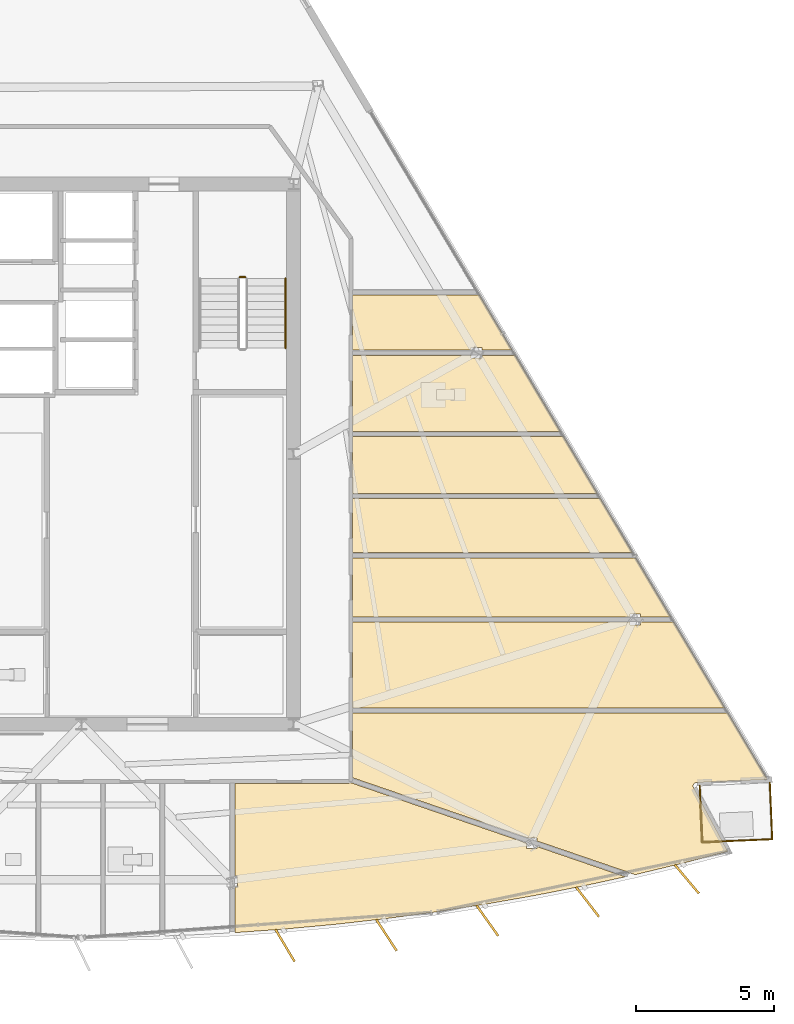
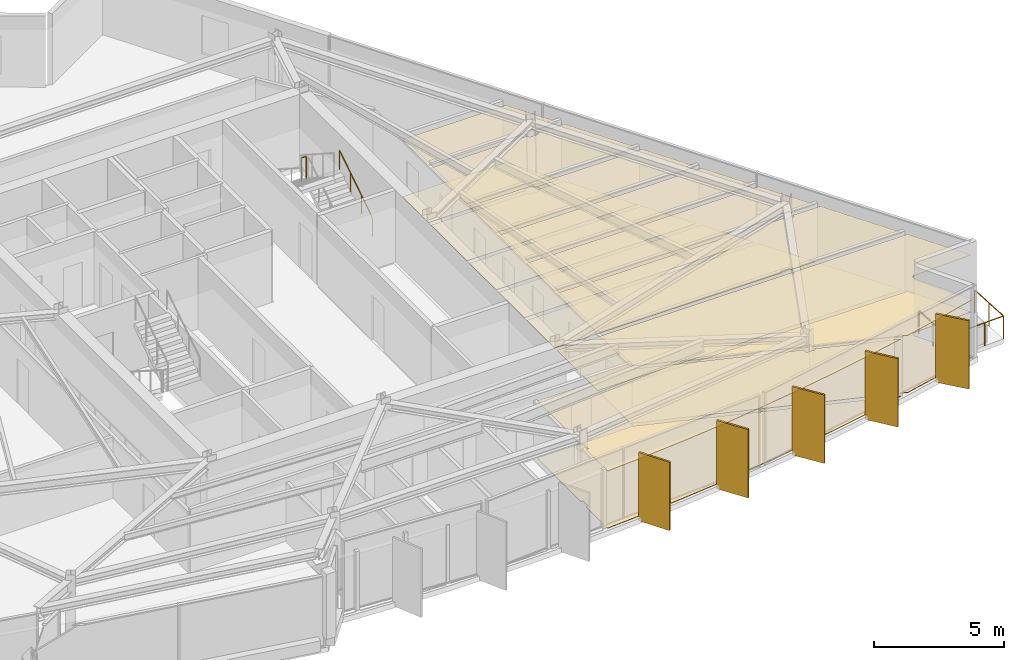
# One storey, part 13 of 14: 16 coverings, 5 railings, 5 shading devices.
"""IFC4 building model written with IfcOpenShell, lengths in metres."""

import ifcopenshell
import ifcopenshell.guid

model = None  # the IFC model being written
_history = None  # IfcOwnerHistory: only IFC2X3 demands one
_inside = {}  # id of a spatial element -> (the spatial element, [elements in it])
_under = {}  # id of a project, library or spatial element -> (it, [spatial elements below it])
_declared = {}  # id of a project -> (the project, [libraries it declares])
_typed = {}  # id of a type object -> (the type object, [elements of that type])
_made_of = {}  # id of a material, layer set ... -> (it, [elements and type objects made of it])


def new_model(schema):
    """Start an empty IFC model of exactly this schema.

    Asked for "IFC4X3", IfcOpenShell would pick the latest addendum, in which some entities
    have other attributes; the version numbers below select the first issue.
    IFC2X3 requires an IfcOwnerHistory on every rooted entity: one is made here for all.
    """
    global model, _history
    if schema == "IFC4X3":
        model = ifcopenshell.file(schema_version=(4, 3, 0, 0))
    else:
        model = ifcopenshell.file(schema=schema)
    _inside.clear()
    _under.clear()
    _declared.clear()
    _typed.clear()
    _made_of.clear()
    _history = None
    if model.schema == "IFC2X3":
        org = make("IfcOrganization", Name="unknown")
        user = make(
            "IfcPersonAndOrganization",
            ThePerson=make("IfcPerson", FamilyName="unknown"),
            TheOrganization=org,
        )
        app = make(
            "IfcApplication",
            ApplicationDeveloper=org,
            Version="unknown",
            ApplicationFullName="unknown",
            ApplicationIdentifier="unknown",
        )
        _history = make(
            "IfcOwnerHistory",
            OwningUser=user,
            OwningApplication=app,
            ChangeAction="ADDED",
            CreationDate=0,
        )
    return model


def make(cls, **values):
    """One entity of the class cls with the attributes given. An attribute that is None is left unset."""
    return model.create_entity(
        cls, **{name: value for name, value in values.items() if value is not None}
    )


def rooted(cls, **values):
    """An entity with a GlobalId (a new one), such as an element, a storey or a relation."""
    return make(cls, GlobalId=ifcopenshell.guid.new(), OwnerHistory=_history, **values)


def si_unit(unit_type, name, prefix=None):
    """IfcSIUnit, for example si_unit("LENGTHUNIT", "METRE", prefix="MILLI")."""
    return make("IfcSIUnit", UnitType=unit_type, Prefix=prefix, Name=name)


def assignment(units):
    """IfcUnitAssignment: the units of a project."""
    return None if units is None else make("IfcUnitAssignment", Units=units)


def point(xyz):
    """IfcCartesianPoint."""
    return None if xyz is None else make("IfcCartesianPoint", Coordinates=xyz)


def direction(xyz):
    """IfcDirection."""
    return None if xyz is None else make("IfcDirection", DirectionRatios=xyz)


def frame(location, z_axis=None, x_axis=None):
    """IfcAxis2Placement3D, a coordinate frame: its origin and axes. An axis left out is left unset."""
    return make(
        "IfcAxis2Placement3D",
        Location=point(location),
        Axis=direction(z_axis),
        RefDirection=direction(x_axis),
    )


def frame_2d(location, x_axis=None):
    """IfcAxis2Placement2D, a coordinate frame in the plane: its origin and x axis."""
    return make(
        "IfcAxis2Placement2D", Location=point(location), RefDirection=direction(x_axis)
    )


def origin():
    """The frame at (0, 0, 0) with its axes left unset."""
    return frame((0.0, 0.0, 0.0))


def origin_2d():
    """The frame at (0, 0) in the plane with its x axis left unset."""
    return frame_2d((0.0, 0.0))


def place(relative_to, where):
    """IfcLocalPlacement: puts the frame where relative to a parent placement (None: the world)."""
    return make(
        "IfcLocalPlacement", PlacementRelTo=relative_to, RelativePlacement=where
    )


def context(
    kind, dimensions, precision=None, world=None, true_north=None, identifier=None
):
    """IfcGeometricRepresentationContext, for example the 3D "Model" context."""
    return make(
        "IfcGeometricRepresentationContext",
        ContextIdentifier=identifier,
        ContextType=kind,
        CoordinateSpaceDimension=dimensions,
        Precision=precision,
        WorldCoordinateSystem=world,
        TrueNorth=true_north,
    )


def subcontext(parent, identifier, kind, view, scale=None):
    """IfcGeometricRepresentationSubContext, for example "Body" below "Model"."""
    return make(
        "IfcGeometricRepresentationSubContext",
        ContextIdentifier=identifier,
        ContextType=kind,
        ParentContext=parent,
        TargetScale=scale,
        TargetView=view,
    )


def project(units=None, contexts=None):
    """IfcProject with its units and contexts."""
    return rooted(
        "IfcProject",
        Name="project",
        RepresentationContexts=contexts,
        UnitsInContext=assignment(units),
    )


def spatial(cls, under=None, at=None, **own):
    """A site, building, storey or space (cls), placed at a placement, below another one or the project."""
    s = rooted(cls, ObjectPlacement=at, **own)
    if under is not None:
        _under.setdefault(under.id(), (under, []))[1].append(s)
    return s


def polyline(points):
    """IfcPolyline through the points."""
    return make("IfcPolyline", Points=[point(p) for p in points])


def profile(cls, at=None, kind="AREA", **sizes):
    """A parametric profile (cls). Its sizes go by their IFC names, for example OverallWidth=200.0."""
    return make(cls, ProfileType=kind, Position=at, **sizes)


def rectangle(**sizes):
    """IfcRectangleProfileDef."""
    return profile("IfcRectangleProfileDef", **sizes)


def circle(**sizes):
    """IfcCircleProfileDef."""
    return profile("IfcCircleProfileDef", **sizes)


def outline(outer, holes=None, kind="AREA"):
    """IfcArbitraryClosedProfileDef: a profile drawn as a closed curve; with holes, ...WithVoids."""
    if holes is None:
        return make("IfcArbitraryClosedProfileDef", ProfileType=kind, OuterCurve=outer)
    return make(
        "IfcArbitraryProfileDefWithVoids",
        ProfileType=kind,
        OuterCurve=outer,
        InnerCurves=holes,
    )


def extrude(swept, where, along, depth):
    """IfcExtrudedAreaSolid: the profile swept, set in the frame where, extruded along a direction by depth."""
    return make(
        "IfcExtrudedAreaSolid",
        SweptArea=swept,
        Position=where,
        ExtrudedDirection=direction(along),
        Depth=depth,
    )


def shape(context_of_items, identifier, shape_type, items):
    """IfcShapeRepresentation: the items that make up one representation, for example the "Body"."""
    return make(
        "IfcShapeRepresentation",
        ContextOfItems=context_of_items,
        RepresentationIdentifier=identifier,
        RepresentationType=shape_type,
        Items=items,
    )


def material(Name=None, Category=None):
    """IfcMaterial."""
    return make("IfcMaterial", Name=Name, Category=Category)


def layer(
    of_material, thickness, ventilated=None, Name=None, Category=None, Priority=None
):
    """IfcMaterialLayer: one layer of a wall or slab, of a material (None: an air gap)."""
    return make(
        "IfcMaterialLayer",
        Material=of_material,
        LayerThickness=thickness,
        IsVentilated=ventilated,
        Name=Name,
        Category=Category,
        Priority=Priority,
    )


def layer_set(layers, Name=None):
    """IfcMaterialLayerSet."""
    return make("IfcMaterialLayerSet", MaterialLayers=layers, LayerSetName=Name)


def made_of(thing, what):
    """Note that an element or type object is made of a material, layer set ...; save() writes the relation."""
    if what is not None:
        _made_of.setdefault(what.id(), (what, []))[1].append(thing)
    return thing


def type_object(cls, material=None, **own):
    """A type object (cls), such as IfcWallType, which elements share."""
    return made_of(rooted(cls, **own), material)


def element(
    cls,
    number,
    at=None,
    inside=None,
    cuts=None,
    type_object=None,
    material=None,
    context=None,
    identifier="Body",
    shape_type=None,
    held_by="IfcProductDefinitionShape",
    body=None,
    shapes=None,
    **own,
):
    """One element of the class cls, such as IfcWall. Its Tag is "e" and its number.

    at: its placement. inside: the storey or other place that contains it. cuts: it is an
    opening in that element (IfcRelVoidsElement). A single representation is given by context,
    identifier, shape_type and body (its items); several are given by shapes. held_by: the class
    of the entity that holds the representations. save() writes the other relations.
    """
    e = rooted(cls, Tag="e%d" % number, ObjectPlacement=at, **own)
    if body is not None:
        shapes = [shape(context, identifier, shape_type, body)]
    if shapes is not None:
        e.Representation = make(held_by, Representations=shapes)
    if inside is not None:
        _inside.setdefault(inside.id(), (inside, []))[1].append(e)
    if cuts is not None:
        rooted(
            "IfcRelVoidsElement", RelatingBuildingElement=cuts, RelatedOpeningElement=e
        )
    if type_object is not None:
        _typed.setdefault(type_object.id(), (type_object, []))[1].append(e)
    return made_of(e, material)


def aggregate(whole, parts):
    """IfcRelAggregates: a whole, such as a stair, and the parts it consists of."""
    return rooted("IfcRelAggregates", RelatingObject=whole, RelatedObjects=parts)


def save(model, path):
    """Write the relations noted so far, then the file.

    IfcRelAggregates (storeys below a building ...), IfcRelContainedInSpatialStructure (elements
    in a storey), IfcRelDefinesByType, IfcRelAssociatesMaterial and IfcRelDeclares: one each for
    every whole, place, type object, material and project.
    """
    for whole, parts in _under.values():
        aggregate(whole, parts)
    for where, things in _inside.values():
        rooted(
            "IfcRelContainedInSpatialStructure",
            RelatedElements=things,
            RelatingStructure=where,
        )
    for kind, things in _typed.values():
        rooted("IfcRelDefinesByType", RelatedObjects=things, RelatingType=kind)
    for what, things in _made_of.values():
        rooted("IfcRelAssociatesMaterial", RelatedObjects=things, RelatingMaterial=what)
    for by, libraries in _declared.values():
        rooted("IfcRelDeclares", RelatingContext=by, RelatedDefinitions=libraries)
    model.write(path)


model = new_model("IFC4")

# Units and contexts
model_context = context("Model", 3, precision=1e-05, world=origin(), true_north=direction((0.0, 1.0)))
body_context = subcontext(model_context, "Body", "Model", "MODEL_VIEW")
ifc_project = project(units=[si_unit("LENGTHUNIT", "METRE"), si_unit("AREAUNIT", "SQUARE_METRE"), si_unit("VOLUMEUNIT", "CUBIC_METRE"), si_unit("PLANEANGLEUNIT", "RADIAN"), si_unit("MASSUNIT", "GRAM", prefix="KILO")], contexts=[model_context])

# Site, building, storey
site_placement = place(None, origin())
site = spatial("IfcSite", under=ifc_project, at=site_placement, CompositionType="ELEMENT")
building_placement = place(site_placement, origin())
building = spatial("IfcBuilding", under=site, at=building_placement, Name="Savorim Split Tower", CompositionType="ELEMENT")
storey_placement = place(building_placement, frame((0.0, 0.0, 227.10009765625)))
storey = spatial("IfcBuildingStorey", under=building, at=storey_placement, Name="L60", CompositionType="ELEMENT", Elevation=227.10009765625)

# Coverings
ifc_material_1 = material(Name="Mineral Fibre Acoustic Ceiling")
ifc_layer_1 = layer(ifc_material_1, 0.02490234375)
ifc_layer_set_1 = layer_set([ifc_layer_1], Name="COV-CEIL-25")
covering_type_1 = type_object("IfcCoveringType", Name="COV-CEIL-25", PredefinedType="CEILING", material=ifc_layer_set_1)
covering_1_placement = place(storey_placement, frame((0.0, 0.0, 2.669921875)))
element("IfcCovering", 1, at=covering_1_placement, inside=storey, type_object=covering_type_1, Name="L60 Co-Working Commons Acoustic Ceiling", PredefinedType="CEILING", context=body_context, shape_type="SweptSolid", body=[
    extrude(outline(polyline([(14.62841796875, -15.9326171875), (16.4375, -15.61474609375), (18.23974609375, -15.260009765625), (19.73291015625, -14.93408203125), (16.533935546875, -13.837646484375), (16.533935546875, -13.909912109375), (16.139892578125, -13.909912109375), (16.139892578125, -13.702392578125), (9.772216796875, -11.519775390625), (9.76611328125, -11.5234375), (9.753662109375, -11.529296875), (9.740478515625, -11.533935546875), (9.727294921875, -11.537353515625), (9.713623046875, -11.539306640625), (9.699951171875, -11.5400390625), (5.5703125, -11.5400390625), (5.5703125, -14.912353515625), (5.67236328125, -14.912353515625), (5.67236328125, -15.304443359375), (5.5703125, -15.304443359375), (5.5703125, -16.915283203125), (5.5703125, -16.959228515625), (7.3388671875, -16.832275390625), (9.167724609375, -16.663330078125), (10.992919921875, -16.45703125), (12.8134765625, -16.21337890625), (14.62841796875, -15.9326171875)])), origin(), (0.0, 0.0, 1.0), 0.02490234375),
])
covering_2_placement = place(storey_placement, frame((0.0, 0.0, 2.669921875)))
element("IfcCovering", 2, at=covering_2_placement, inside=storey, type_object=covering_type_1, Name="L60 Maker Workshop Acoustic Ceiling", PredefinedType="CEILING", context=body_context, shape_type="SweptSolid", body=[
    extrude(outline(polyline([(22.282958984375, -11.518310546875), (22.294189453125, -11.516357421875), (22.305908203125, -11.51513671875), (24.887451171875, -11.405517578125), (23.455322265625, -8.9970703125), (9.840087890625, -8.9970703125), (9.840087890625, -11.34228515625), (16.187255859375, -13.517822265625), (16.533935546875, -13.517822265625), (16.533935546875, -13.63671875), (20.089111328125, -14.855224609375), (21.8203125, -14.440185546875), (23.450927734375, -14.013671875), (22.205078125, -11.69189453125), (22.2001953125, -11.681396484375), (22.1962890625, -11.670654296875), (22.193359375, -11.659423828125), (22.191650390625, -11.64794921875), (22.19091796875, -11.636474609375), (22.19140625, -11.625), (22.19287109375, -11.613525390625), (22.195556640625, -11.602294921875), (22.19921875, -11.59130859375), (22.203857421875, -11.580810546875), (22.209716796875, -11.57080078125), (22.21630859375, -11.561279296875), (22.223876953125, -11.552490234375), (22.232177734375, -11.544677734375), (22.2412109375, -11.537353515625), (22.2509765625, -11.53125), (22.26123046875, -11.52587890625), (22.27197265625, -11.521484375), (22.282958984375, -11.518310546875)])), origin(), (0.0, 0.0, 1.0), 0.02490234375),
])
covering_3_placement = place(storey_placement, frame((0.0, 0.0, 2.669921875)))
element("IfcCovering", 3, at=covering_3_placement, inside=storey, type_object=covering_type_1, Name="L60 Co-Living Bedroom Acoustic Ceiling", PredefinedType="CEILING", context=body_context, shape_type="SweptSolid", body=[
    extrude(outline(polyline([(19.893798828125, -5.798583984375), (19.893798828125, -5.697509765625), (9.840087890625, -5.697509765625), (9.840087890625, -8.806884765625), (23.34228515625, -8.806884765625), (21.4736328125, -5.66455078125), (21.4736328125, -5.697509765625), (20.28759765625, -5.697509765625), (20.28759765625, -5.798583984375), (19.893798828125, -5.798583984375)])), origin(), (0.0, 0.0, 1.0), 0.02490234375),
])
covering_4_placement = place(storey_placement, frame((0.0, 0.0, 2.669921875)))
element("IfcCovering", 4, at=covering_4_placement, inside=storey, type_object=covering_type_1, Name="L60 Quiet Study Room Acoustic Ceiling", PredefinedType="CEILING", context=body_context, shape_type="SweptSolid", body=[
    extrude(outline(polyline([(20.28759765625, -5.406494140625), (20.28759765625, -5.507568359375), (21.378662109375, -5.507568359375), (21.38037109375, -5.507568359375), (20.107666015625, -3.3671875), (9.840087890625, -3.3671875), (9.840087890625, -5.507568359375), (19.893798828125, -5.507568359375), (19.893798828125, -5.406494140625), (20.28759765625, -5.406494140625)])), origin(), (0.0, 0.0, 1.0), 0.02490234375),
])
covering_5_placement = place(storey_placement, frame((0.0, 0.0, 2.669921875)))
element("IfcCovering", 5, at=covering_5_placement, inside=storey, type_object=covering_type_1, Name="L60 Quiet Study Room Acoustic Ceiling", PredefinedType="CEILING", context=body_context, shape_type="SweptSolid", body=[
    extrude(outline(polyline([(19.99462890625, -3.17724609375), (18.826416015625, -1.21240234375), (9.840087890625, -1.21240234375), (9.840087890625, -3.177001953125), (19.99462890625, -3.17724609375)])), origin(), (0.0, 0.0, 1.0), 0.02490234375),
])
covering_6_placement = place(storey_placement, frame((0.0, 0.0, 2.669921875)))
element("IfcCovering", 6, at=covering_6_placement, inside=storey, type_object=covering_type_1, Name="L60 Co-Living Bedroom Acoustic Ceiling", PredefinedType="CEILING", context=body_context, shape_type="SweptSolid", body=[
    extrude(outline(polyline([(18.71337890625, -1.022216796875), (17.492919921875, 1.0302734375), (9.840087890625, 1.0302734375), (9.840087890625, -1.022216796875), (18.71337890625, -1.022216796875)])), origin(), (0.0, 0.0, 1.0), 0.02490234375),
])
covering_7_placement = place(storey_placement, frame((0.0, 0.0, 2.669921875)))
element("IfcCovering", 7, at=covering_7_placement, inside=storey, type_object=covering_type_1, Name="L60 Shared Bathroom Acoustic Ceiling", PredefinedType="CEILING", context=body_context, shape_type="SweptSolid", body=[
    extrude(outline(polyline([(14.1396484375, 3.87841796875), (14.1396484375, 3.9794921875), (9.840087890625, 3.9794921875), (9.840087890625, 1.22021484375), (17.3798828125, 1.22021484375), (15.719482421875, 4.012451171875), (15.719482421875, 3.9794921875), (14.53369140625, 3.9794921875), (14.53369140625, 3.87841796875), (14.1396484375, 3.87841796875)])), origin(), (0.0, 0.0, 1.0), 0.02490234375),
])
covering_8_placement = place(storey_placement, frame((0.0, 0.0, 2.669921875)))
element("IfcCovering", 8, at=covering_8_placement, inside=storey, type_object=covering_type_1, Name="L60 Quiet Study Room Acoustic Ceiling", PredefinedType="CEILING", context=body_context, shape_type="SweptSolid", body=[
    extrude(outline(polyline([(14.53369140625, 4.16943359375), (15.62451171875, 4.16943359375), (15.626220703125, 4.16943359375), (14.43212890625, 6.177490234375), (9.840087890625, 6.177490234375), (9.840087890625, 4.16943359375), (14.1396484375, 4.16943359375), (14.1396484375, 4.2705078125), (14.53369140625, 4.2705078125), (14.53369140625, 4.16943359375)])), origin(), (0.0, 0.0, 1.0), 0.02490234375),
])
ifc_material_2 = material(Name="Porcelain Stoneware Flooring", Category="masonry")
ifc_layer_2 = layer(ifc_material_2, 0.02001953125)
ifc_layer_set_2 = layer_set([ifc_layer_2], Name="COV-FLOR-20")
covering_type_2 = type_object("IfcCoveringType", Name="COV-FLOR-20", PredefinedType="FLOORING", material=ifc_layer_set_2)
covering_9_placement = place(storey_placement, origin())
element("IfcCovering", 9, at=covering_9_placement, inside=storey, type_object=covering_type_2, Name="L60 Co-Working Commons Porcelain Flooring", PredefinedType="FLOORING", context=body_context, shape_type="SweptSolid", body=[
    extrude(outline(polyline([(14.62841796875, -15.9326171875), (16.4375, -15.61474609375), (18.23974609375, -15.260009765625), (19.73291015625, -14.93408203125), (16.533935546875, -13.837646484375), (16.533935546875, -13.909912109375), (16.139892578125, -13.909912109375), (16.139892578125, -13.702392578125), (9.772216796875, -11.519775390625), (9.76611328125, -11.5234375), (9.753662109375, -11.529296875), (9.740478515625, -11.533935546875), (9.727294921875, -11.537353515625), (9.713623046875, -11.539306640625), (9.699951171875, -11.5400390625), (5.5703125, -11.5400390625), (5.5703125, -14.912353515625), (5.67236328125, -14.912353515625), (5.67236328125, -15.304443359375), (5.5703125, -15.304443359375), (5.5703125, -16.915283203125), (5.5703125, -16.959228515625), (7.3388671875, -16.832275390625), (9.167724609375, -16.663330078125), (10.992919921875, -16.45703125), (12.8134765625, -16.21337890625), (14.62841796875, -15.9326171875)])), origin(), (0.0, 0.0, 1.0), 0.02001953125),
])
covering_10_placement = place(storey_placement, origin())
element("IfcCovering", 10, at=covering_10_placement, inside=storey, type_object=covering_type_2, Name="L60 Maker Workshop Porcelain Flooring", PredefinedType="FLOORING", context=body_context, shape_type="SweptSolid", body=[
    extrude(outline(polyline([(22.282958984375, -11.518310546875), (22.294189453125, -11.516357421875), (22.305908203125, -11.51513671875), (24.887451171875, -11.405517578125), (23.455322265625, -8.9970703125), (9.840087890625, -8.9970703125), (9.840087890625, -11.34228515625), (16.187255859375, -13.517822265625), (16.533935546875, -13.517822265625), (16.533935546875, -13.63671875), (20.089111328125, -14.855224609375), (21.8203125, -14.440185546875), (23.450927734375, -14.013671875), (22.205078125, -11.69189453125), (22.2001953125, -11.681396484375), (22.1962890625, -11.670654296875), (22.193359375, -11.659423828125), (22.191650390625, -11.64794921875), (22.19091796875, -11.636474609375), (22.19140625, -11.625), (22.19287109375, -11.613525390625), (22.195556640625, -11.602294921875), (22.19921875, -11.59130859375), (22.203857421875, -11.580810546875), (22.209716796875, -11.57080078125), (22.21630859375, -11.561279296875), (22.223876953125, -11.552490234375), (22.232177734375, -11.544677734375), (22.2412109375, -11.537353515625), (22.2509765625, -11.53125), (22.26123046875, -11.52587890625), (22.27197265625, -11.521484375), (22.282958984375, -11.518310546875)])), origin(), (0.0, 0.0, 1.0), 0.02001953125),
])
covering_11_placement = place(storey_placement, origin())
element("IfcCovering", 11, at=covering_11_placement, inside=storey, type_object=covering_type_2, Name="L60 Co-Living Bedroom Porcelain Flooring", PredefinedType="FLOORING", context=body_context, shape_type="SweptSolid", body=[
    extrude(outline(polyline([(19.893798828125, -5.798583984375), (19.893798828125, -5.697509765625), (9.840087890625, -5.697509765625), (9.840087890625, -8.806884765625), (23.34228515625, -8.806884765625), (21.4736328125, -5.66455078125), (21.4736328125, -5.697509765625), (20.28759765625, -5.697509765625), (20.28759765625, -5.798583984375), (19.893798828125, -5.798583984375)])), origin(), (0.0, 0.0, 1.0), 0.02001953125),
])
covering_12_placement = place(storey_placement, origin())
element("IfcCovering", 12, at=covering_12_placement, inside=storey, type_object=covering_type_2, Name="L60 Quiet Study Room Porcelain Flooring", PredefinedType="FLOORING", context=body_context, shape_type="SweptSolid", body=[
    extrude(outline(polyline([(20.28759765625, -5.406494140625), (20.28759765625, -5.507568359375), (21.378662109375, -5.507568359375), (21.38037109375, -5.507568359375), (20.107666015625, -3.3671875), (9.840087890625, -3.3671875), (9.840087890625, -5.507568359375), (19.893798828125, -5.507568359375), (19.893798828125, -5.406494140625), (20.28759765625, -5.406494140625)])), origin(), (0.0, 0.0, 1.0), 0.02001953125),
])
covering_13_placement = place(storey_placement, origin())
element("IfcCovering", 13, at=covering_13_placement, inside=storey, type_object=covering_type_2, Name="L60 Quiet Study Room Porcelain Flooring", PredefinedType="FLOORING", context=body_context, shape_type="SweptSolid", body=[
    extrude(outline(polyline([(19.99462890625, -3.17724609375), (18.826416015625, -1.21240234375), (9.840087890625, -1.21240234375), (9.840087890625, -3.177001953125), (19.99462890625, -3.17724609375)])), origin(), (0.0, 0.0, 1.0), 0.02001953125),
])
covering_14_placement = place(storey_placement, origin())
element("IfcCovering", 14, at=covering_14_placement, inside=storey, type_object=covering_type_2, Name="L60 Co-Living Bedroom Porcelain Flooring", PredefinedType="FLOORING", context=body_context, shape_type="SweptSolid", body=[
    extrude(outline(polyline([(18.71337890625, -1.022216796875), (17.492919921875, 1.0302734375), (9.840087890625, 1.0302734375), (9.840087890625, -1.022216796875), (18.71337890625, -1.022216796875)])), origin(), (0.0, 0.0, 1.0), 0.02001953125),
])
covering_15_placement = place(storey_placement, origin())
element("IfcCovering", 15, at=covering_15_placement, inside=storey, type_object=covering_type_2, Name="L60 Shared Bathroom Porcelain Flooring", PredefinedType="FLOORING", context=body_context, shape_type="SweptSolid", body=[
    extrude(outline(polyline([(14.1396484375, 3.87841796875), (14.1396484375, 3.9794921875), (9.840087890625, 3.9794921875), (9.840087890625, 1.22021484375), (17.3798828125, 1.22021484375), (15.719482421875, 4.012451171875), (15.719482421875, 3.9794921875), (14.53369140625, 3.9794921875), (14.53369140625, 3.87841796875), (14.1396484375, 3.87841796875)])), origin(), (0.0, 0.0, 1.0), 0.02001953125),
])
covering_16_placement = place(storey_placement, origin())
element("IfcCovering", 16, at=covering_16_placement, inside=storey, type_object=covering_type_2, Name="L60 Quiet Study Room Porcelain Flooring", PredefinedType="FLOORING", context=body_context, shape_type="SweptSolid", body=[
    extrude(outline(polyline([(14.53369140625, 4.16943359375), (15.62451171875, 4.16943359375), (15.626220703125, 4.16943359375), (14.43212890625, 6.177490234375), (9.840087890625, 6.177490234375), (9.840087890625, 4.16943359375), (14.1396484375, 4.16943359375), (14.1396484375, 4.2705078125), (14.53369140625, 4.2705078125), (14.53369140625, 4.16943359375)])), origin(), (0.0, 0.0, 1.0), 0.02001953125),
])

# Railings
ifc_material_3 = material(Name="Galvanised Painted Steel Balustrade", Category="steel")
railing_type_1 = type_object("IfcRailingType", Name="RLG-BAL-1100", PredefinedType="BALUSTRADE", material=ifc_material_3)
railing_1_placement = place(storey_placement, frame((24.973388671875, -11.521728515625, 0.0)))
element("IfcRailing", 17, at=railing_1_placement, inside=storey, type_object=railing_type_1, Name="L60 Tree Balcony Guardrail SE-1", PredefinedType="BALUSTRADE", context=body_context, shape_type="SweptSolid", body=[
    extrude(circle(Radius=0.02392578125, at=origin_2d()), frame((0.0, 0.0, 1.076171875), z_axis=(0.042517246, -0.999095733047, 0.0), x_axis=(0.999095733047, 0.042517246, 0.0)), (0.0, 0.0, 1.0), 2.050048828125),
    extrude(circle(Radius=0.02099609375, at=origin_2d()), origin(), (0.0, 0.0, 1.0), 1.052001953125),
    extrude(circle(Radius=0.02099609375, at=origin_2d()), frame((0.04345703125, -1.02392578125, 0.0)), (0.0, 0.0, 1.0), 1.052001953125),
    extrude(circle(Radius=0.02099609375, at=origin_2d()), frame((0.087158203125, -2.048095703125, 0.0)), (0.0, 0.0, 1.0), 1.052001953125),
])
railing_2_placement = place(storey_placement, frame((25.060546875, -13.56982421875, 0.0)))
element("IfcRailing", 18, at=railing_2_placement, inside=storey, type_object=railing_type_1, Name="L60 Tree Balcony Guardrail SE-2", PredefinedType="BALUSTRADE", context=body_context, shape_type="SweptSolid", body=[
    extrude(circle(Radius=0.02392578125, at=origin_2d()), frame((0.0, 0.0, 1.076171875), z_axis=(-0.999096447508, -0.042500453836, 0.0), x_axis=(0.042500453836, -0.999096447508, 0.0)), (0.0, 0.0, 1.0), 2.544677734375),
    extrude(circle(Radius=0.02099609375, at=origin_2d()), origin(), (0.0, 0.0, 1.0), 1.052001953125),
    extrude(circle(Radius=0.02099609375, at=origin_2d()), frame((-0.847412109375, -0.0361328125, 0.0)), (0.0, 0.0, 1.0), 1.052001953125),
    extrude(circle(Radius=0.02099609375, at=origin_2d()), frame((-1.695068359375, -0.072021484375, 0.0)), (0.0, 0.0, 1.0), 1.052001953125),
    extrude(circle(Radius=0.02099609375, at=origin_2d()), frame((-2.54248046875, -0.108154296875, 0.0)), (0.0, 0.0, 1.0), 1.052001953125),
])
railing_3_placement = place(storey_placement, frame((22.51806640625, -13.677978515625, 0.0)))
element("IfcRailing", 19, at=railing_3_placement, inside=storey, type_object=railing_type_1, Name="L60 Tree Balcony Guardrail SE-3", PredefinedType="BALUSTRADE", context=body_context, shape_type="SweptSolid", body=[
    extrude(circle(Radius=0.02392578125, at=origin_2d()), frame((0.0, 0.0, 1.076171875), z_axis=(-0.042517246, 0.999095733047, 0.0), x_axis=(-0.999095733047, -0.042517246, 0.0)), (0.0, 0.0, 1.0), 2.050048828125),
    extrude(circle(Radius=0.02099609375, at=origin_2d()), origin(), (0.0, 0.0, 1.0), 1.052001953125),
    extrude(circle(Radius=0.02099609375, at=origin_2d()), frame((-0.04345703125, 1.02392578125, 0.0)), (0.0, 0.0, 1.0), 1.052001953125),
    extrude(circle(Radius=0.02099609375, at=origin_2d()), frame((-0.087158203125, 2.048095703125, 0.0)), (0.0, 0.0, 1.0), 1.052001953125),
])
railing_type_2 = type_object("IfcRailingType", Name="RLG-HR-900", PredefinedType="HANDRAIL", material=ifc_material_3)
railing_4_placement = place(storey_placement, frame((7.39990234375, 4.25, 0.179931640625)))
element("IfcRailing", 20, at=railing_4_placement, inside=storey, type_object=railing_type_2, Name="L60 ST-2 stair handrail 1", PredefinedType="HANDRAIL", context=body_context, shape_type="SweptSolid", body=[
    extrude(circle(Radius=0.02392578125, at=origin_2d()), frame((0.0, 0.0, 0.8759765625), z_axis=(0.0, 0.841199657755, 0.540724639528), x_axis=(-1.0, 0.0, 0.0)), (0.0, 0.0, 1.0), 2.995849609375),
    extrude(circle(Radius=0.02099609375, at=origin_2d()), origin(), (0.0, 0.0, 1.0), 0.851806640625),
    extrude(circle(Radius=0.02099609375, at=origin_2d()), frame((0.0, 0.840087890625, 0.5400390625)), (0.0, 0.0, 1.0), 0.851806640625),
    extrude(circle(Radius=0.02099609375, at=origin_2d()), frame((0.0, 1.679931640625, 1.079833984375)), (0.0, 0.0, 1.0), 0.851806640625),
    extrude(circle(Radius=0.02099609375, at=origin_2d()), frame((0.0, 2.52001953125, 1.619873046875)), (0.0, 0.0, 1.0), 0.851806640625),
])
railing_type_3 = type_object("IfcRailingType", Name="RLG-STG-1100", PredefinedType="BALUSTRADE", material=ifc_material_3)
railing_5_placement = place(storey_placement, frame((5.949951171875, 6.820068359375, 1.7998046875)))
element("IfcRailing", 21, at=railing_5_placement, inside=storey, type_object=railing_type_3, Name="L60 ST-2 stair guard 2", PredefinedType="BALUSTRADE", context=body_context, shape_type="SweptSolid", body=[
    extrude(circle(Radius=0.02392578125, at=origin_2d()), frame((0.0, 0.0, 1.076171875), z_axis=(-1.0, 0.0, 0.0), x_axis=(0.0, -1.0, 0.0)), (0.0, 0.0, 1.0), 0.199951171875),
    extrude(circle(Radius=0.02099609375, at=origin_2d()), origin(), (0.0, 0.0, 1.0), 1.052001953125),
    extrude(circle(Radius=0.02099609375, at=origin_2d()), frame((-0.199951171875, 0.0, 0.0)), (0.0, 0.0, 1.0), 1.052001953125),
])

# Shading devices
ifc_material_4 = material(Name="Terracotta Ceramic-Coated Aluminium Fin", Category="masonry")
shading_device_type = type_object("IfcShadingDeviceType", Name="SHD-FIN-1360", PredefinedType="USERDEFINED", material=ifc_material_4)
for number, where, z_axis, x_axis, name in (
    (22, (7.3876953125, -17.42626953125, -0.2001953125), (0.0, 0.0, 1.0), (0.510391336723, -0.859942255851, 0.0), "L60 Sawtooth Shading Fin 09"),
    (23, (11.06591796875, -17.048583984375, -0.2001953125), (0.0, 0.0, 1.0), (0.545148321708, -0.838339613366, 0.0), "L60 Sawtooth Shading Fin 10"),
    (24, (14.7255859375, -16.520751953125, -0.2001953125), (0.0, 0.0, 1.0), (0.578993757737, -0.815331974414, 0.0), "L60 Sawtooth Shading Fin 11"),
    (25, (18.36083984375, -15.843505859375, -0.2001953125), (0.0, 0.0, 1.0), (0.611868076908, -0.790959832394, 0.0), "L60 Sawtooth Shading Fin 12"),
    (26, (21.965087890625, -15.018310546875, -0.2001953125), (0.0, 0.0, 1.0), (0.643719022682, -0.765261928909, 0.0), "L60 Sawtooth Shading Fin 13"),
):
    element("IfcShadingDevice", number, at=place(storey_placement, frame(where, z_axis=z_axis, x_axis=x_axis)), inside=storey, type_object=shading_device_type, Name=name, ObjectType="FIN", PredefinedType="USERDEFINED", context=body_context, shape_type="SweptSolid", body=[
        extrude(rectangle(XDim=1.360107421875, YDim=0.080078125, at=origin_2d()), origin(), (0.0, 0.0, 1.0), 3.199951171875),
    ])

save(model, "model.ifc")
